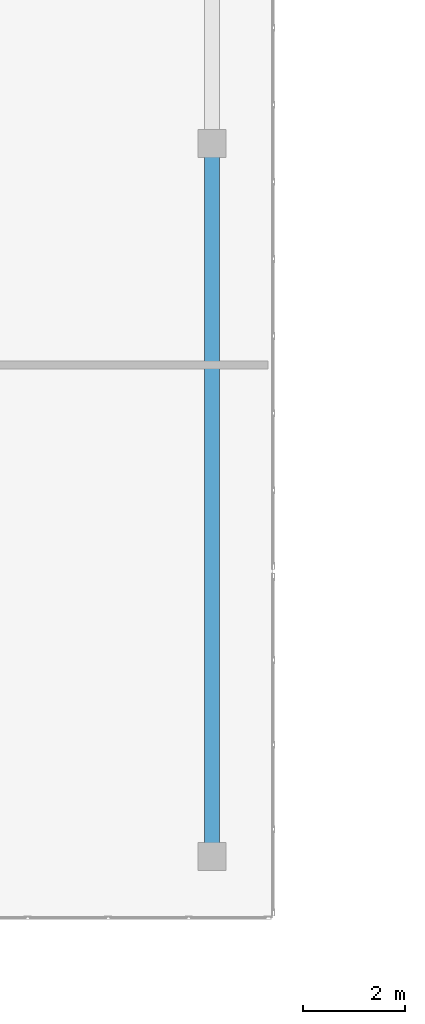
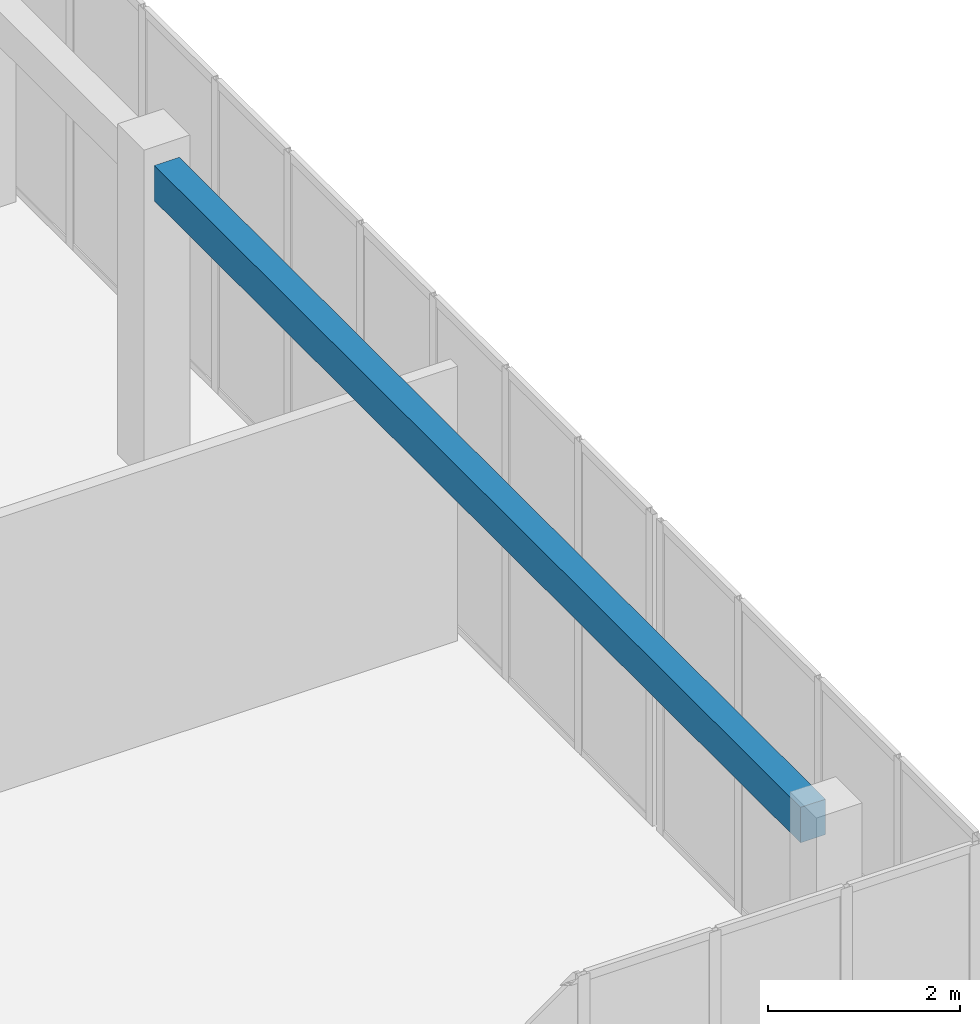
# One storey, part 30 of 81: 1 beam.
"""IFC4 building model written with IfcOpenShell, lengths in metres."""

from ifc_helpers import new_model, si_unit, direction, frame, origin, origin_2d, place, context, subcontext, project, spatial, rectangle, extrude, material, material_profile, profile_set, type_object, element, save


model = new_model("IFC4")

# Units and contexts
model_context = context("Model", 3, precision=1e-05, world=origin(), true_north=direction((0.0, 1.0)))
body_context = subcontext(model_context, "Body", "Model", "MODEL_VIEW")
ifc_project = project(units=[si_unit("LENGTHUNIT", "METRE"), si_unit("AREAUNIT", "SQUARE_METRE"), si_unit("VOLUMEUNIT", "CUBIC_METRE"), si_unit("PLANEANGLEUNIT", "RADIAN"), si_unit("MASSUNIT", "GRAM", prefix="KILO")], contexts=[model_context])

# Site, building, storey
site_placement = place(None, origin())
site = spatial("IfcSite", under=ifc_project, at=site_placement, CompositionType="ELEMENT")
building_placement = place(site_placement, origin())
building = spatial("IfcBuilding", under=site, at=building_placement, Name="Trelvath General Hospital", CompositionType="ELEMENT")
storey_placement = place(building_placement, frame((0.0, 0.0, 24.60009765625)))
storey = spatial("IfcBuildingStorey", under=building, at=storey_placement, Name="L06", CompositionType="ELEMENT", Elevation=24.60009765625)

# Beam
ifc_material = material(Name="Concrete C35/45", Category="concrete")
ifc_material_profile = material_profile(ifc_material, rectangle(XDim=0.300048828125, YDim=0.449951171875, at=origin_2d()), Name="RCB300x450")
ifc_profile_set = profile_set([ifc_material_profile], Name="Concrete C35/45")
beam_type = type_object("IfcBeamType", Name="Beam RC300x450", PredefinedType="BEAM", material=ifc_profile_set)
beam_placement = place(storey_placement, frame((107.199951171875, 45.071044921875, 3.73486328125), z_axis=(0.0, 1.0, 0.0), x_axis=(-1.0, 0.0, 0.0)))
element("IfcBeam", 1, at=beam_placement, inside=storey, type_object=beam_type, Name="Cube Interior Ring Beam CUBE-E-T2 L06", PredefinedType="BEAM", context=body_context, shape_type="SweptSolid", body=[
    extrude(rectangle(XDim=0.300048828125, YDim=0.449951171875, at=origin_2d()), origin(), (0.0, 0.0, 1.0), 13.4580078125),
])

save(model, "model.ifc")
